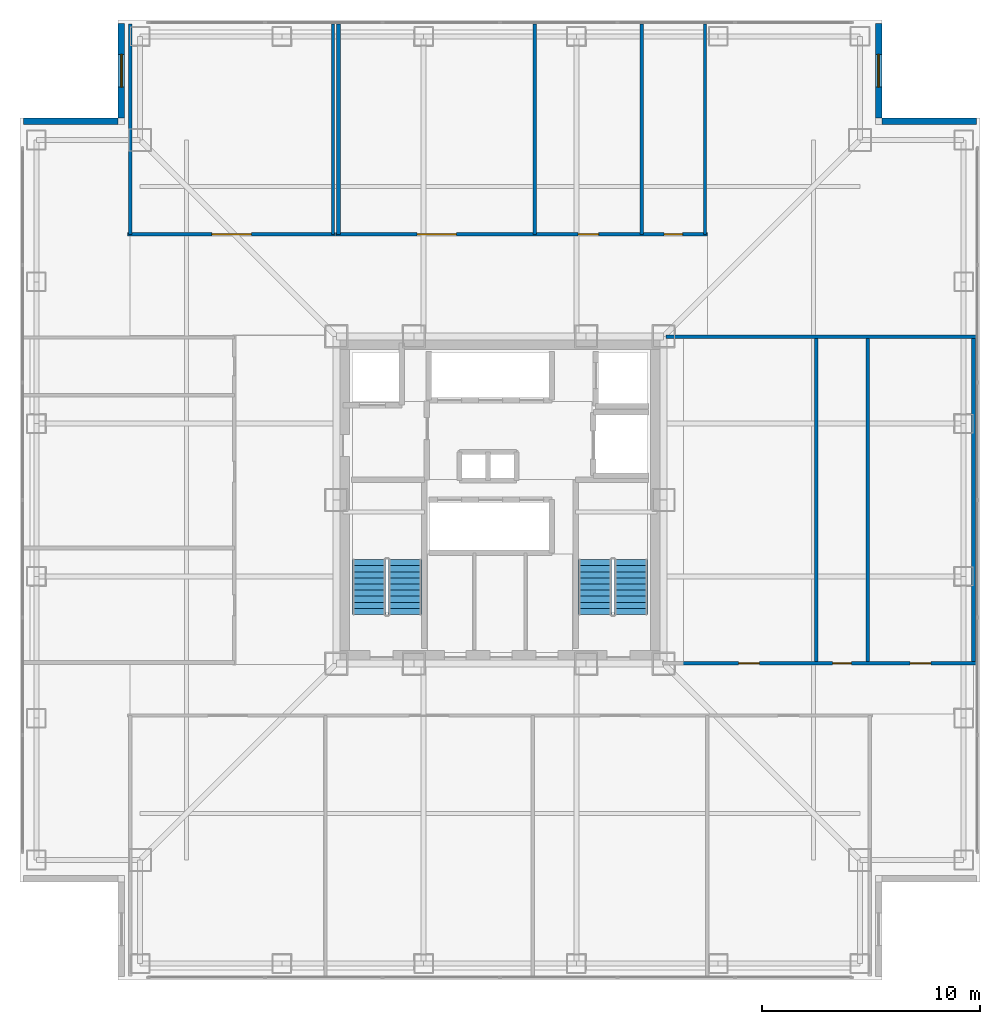
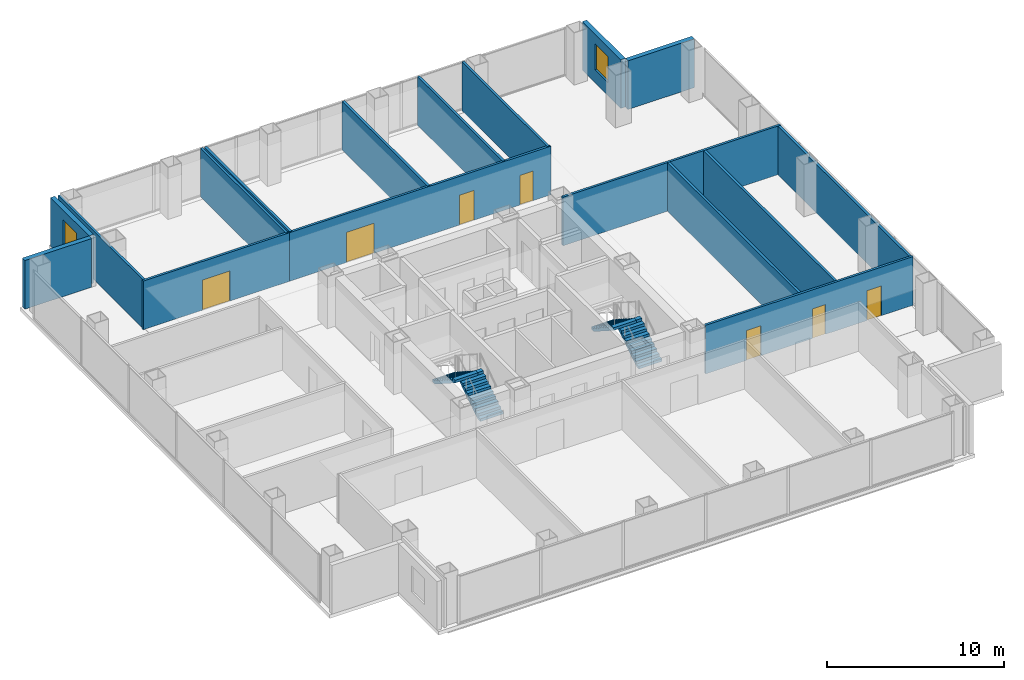
# One storey, part 14 of 17: 17 walls, 7 doors, 4 stair flights, 2 windows, 9 openings, 2 elements without a shape of their own.
"""IFC4 building model written with IfcOpenShell, lengths in metres."""

import ifcopenshell
import ifcopenshell.guid

model = None  # the IFC model being written
_history = None  # IfcOwnerHistory: only IFC2X3 demands one
_inside = {}  # id of a spatial element -> (the spatial element, [elements in it])
_under = {}  # id of a project, library or spatial element -> (it, [spatial elements below it])
_declared = {}  # id of a project -> (the project, [libraries it declares])
_typed = {}  # id of a type object -> (the type object, [elements of that type])
_made_of = {}  # id of a material, layer set ... -> (it, [elements and type objects made of it])


def new_model(schema):
    """Start an empty IFC model of exactly this schema.

    Asked for "IFC4X3", IfcOpenShell would pick the latest addendum, in which some entities
    have other attributes; the version numbers below select the first issue.
    IFC2X3 requires an IfcOwnerHistory on every rooted entity: one is made here for all.
    """
    global model, _history
    if schema == "IFC4X3":
        model = ifcopenshell.file(schema_version=(4, 3, 0, 0))
    else:
        model = ifcopenshell.file(schema=schema)
    _inside.clear()
    _under.clear()
    _declared.clear()
    _typed.clear()
    _made_of.clear()
    _history = None
    if model.schema == "IFC2X3":
        org = make("IfcOrganization", Name="unknown")
        user = make(
            "IfcPersonAndOrganization",
            ThePerson=make("IfcPerson", FamilyName="unknown"),
            TheOrganization=org,
        )
        app = make(
            "IfcApplication",
            ApplicationDeveloper=org,
            Version="unknown",
            ApplicationFullName="unknown",
            ApplicationIdentifier="unknown",
        )
        _history = make(
            "IfcOwnerHistory",
            OwningUser=user,
            OwningApplication=app,
            ChangeAction="ADDED",
            CreationDate=0,
        )
    return model


def make(cls, **values):
    """One entity of the class cls with the attributes given. An attribute that is None is left unset."""
    return model.create_entity(
        cls, **{name: value for name, value in values.items() if value is not None}
    )


def rooted(cls, **values):
    """An entity with a GlobalId (a new one), such as an element, a storey or a relation."""
    return make(cls, GlobalId=ifcopenshell.guid.new(), OwnerHistory=_history, **values)


def si_unit(unit_type, name, prefix=None):
    """IfcSIUnit, for example si_unit("LENGTHUNIT", "METRE", prefix="MILLI")."""
    return make("IfcSIUnit", UnitType=unit_type, Prefix=prefix, Name=name)


def assignment(units):
    """IfcUnitAssignment: the units of a project."""
    return None if units is None else make("IfcUnitAssignment", Units=units)


def point(xyz):
    """IfcCartesianPoint."""
    return None if xyz is None else make("IfcCartesianPoint", Coordinates=xyz)


def direction(xyz):
    """IfcDirection."""
    return None if xyz is None else make("IfcDirection", DirectionRatios=xyz)


def frame(location, z_axis=None, x_axis=None):
    """IfcAxis2Placement3D, a coordinate frame: its origin and axes. An axis left out is left unset."""
    return make(
        "IfcAxis2Placement3D",
        Location=point(location),
        Axis=direction(z_axis),
        RefDirection=direction(x_axis),
    )


def frame_2d(location, x_axis=None):
    """IfcAxis2Placement2D, a coordinate frame in the plane: its origin and x axis."""
    return make(
        "IfcAxis2Placement2D", Location=point(location), RefDirection=direction(x_axis)
    )


def origin():
    """The frame at (0, 0, 0) with its axes left unset."""
    return frame((0.0, 0.0, 0.0))


def place(relative_to, where):
    """IfcLocalPlacement: puts the frame where relative to a parent placement (None: the world)."""
    return make(
        "IfcLocalPlacement", PlacementRelTo=relative_to, RelativePlacement=where
    )


def context(
    kind, dimensions, precision=None, world=None, true_north=None, identifier=None
):
    """IfcGeometricRepresentationContext, for example the 3D "Model" context."""
    return make(
        "IfcGeometricRepresentationContext",
        ContextIdentifier=identifier,
        ContextType=kind,
        CoordinateSpaceDimension=dimensions,
        Precision=precision,
        WorldCoordinateSystem=world,
        TrueNorth=true_north,
    )


def subcontext(parent, identifier, kind, view, scale=None):
    """IfcGeometricRepresentationSubContext, for example "Body" below "Model"."""
    return make(
        "IfcGeometricRepresentationSubContext",
        ContextIdentifier=identifier,
        ContextType=kind,
        ParentContext=parent,
        TargetScale=scale,
        TargetView=view,
    )


def project(units=None, contexts=None):
    """IfcProject with its units and contexts."""
    return rooted(
        "IfcProject",
        Name="project",
        RepresentationContexts=contexts,
        UnitsInContext=assignment(units),
    )


def spatial(cls, under=None, at=None, **own):
    """A site, building, storey or space (cls), placed at a placement, below another one or the project."""
    s = rooted(cls, ObjectPlacement=at, **own)
    if under is not None:
        _under.setdefault(under.id(), (under, []))[1].append(s)
    return s


def polyline(points):
    """IfcPolyline through the points."""
    return make("IfcPolyline", Points=[point(p) for p in points])


def profile(cls, at=None, kind="AREA", **sizes):
    """A parametric profile (cls). Its sizes go by their IFC names, for example OverallWidth=200.0."""
    return make(cls, ProfileType=kind, Position=at, **sizes)


def rectangle(**sizes):
    """IfcRectangleProfileDef."""
    return profile("IfcRectangleProfileDef", **sizes)


def outline(outer, holes=None, kind="AREA"):
    """IfcArbitraryClosedProfileDef: a profile drawn as a closed curve; with holes, ...WithVoids."""
    if holes is None:
        return make("IfcArbitraryClosedProfileDef", ProfileType=kind, OuterCurve=outer)
    return make(
        "IfcArbitraryProfileDefWithVoids",
        ProfileType=kind,
        OuterCurve=outer,
        InnerCurves=holes,
    )


def extrude(swept, where, along, depth):
    """IfcExtrudedAreaSolid: the profile swept, set in the frame where, extruded along a direction by depth."""
    return make(
        "IfcExtrudedAreaSolid",
        SweptArea=swept,
        Position=where,
        ExtrudedDirection=direction(along),
        Depth=depth,
    )


def shape(context_of_items, identifier, shape_type, items):
    """IfcShapeRepresentation: the items that make up one representation, for example the "Body"."""
    return make(
        "IfcShapeRepresentation",
        ContextOfItems=context_of_items,
        RepresentationIdentifier=identifier,
        RepresentationType=shape_type,
        Items=items,
    )


def material(Name=None, Category=None):
    """IfcMaterial."""
    return make("IfcMaterial", Name=Name, Category=Category)


def layer(
    of_material, thickness, ventilated=None, Name=None, Category=None, Priority=None
):
    """IfcMaterialLayer: one layer of a wall or slab, of a material (None: an air gap)."""
    return make(
        "IfcMaterialLayer",
        Material=of_material,
        LayerThickness=thickness,
        IsVentilated=ventilated,
        Name=Name,
        Category=Category,
        Priority=Priority,
    )


def layer_set(layers, Name=None):
    """IfcMaterialLayerSet."""
    return make("IfcMaterialLayerSet", MaterialLayers=layers, LayerSetName=Name)


def made_of(thing, what):
    """Note that an element or type object is made of a material, layer set ...; save() writes the relation."""
    if what is not None:
        _made_of.setdefault(what.id(), (what, []))[1].append(thing)
    return thing


def type_object(cls, material=None, **own):
    """A type object (cls), such as IfcWallType, which elements share."""
    return made_of(rooted(cls, **own), material)


def element(
    cls,
    number,
    at=None,
    inside=None,
    cuts=None,
    type_object=None,
    material=None,
    context=None,
    identifier="Body",
    shape_type=None,
    held_by="IfcProductDefinitionShape",
    body=None,
    shapes=None,
    **own,
):
    """One element of the class cls, such as IfcWall. Its Tag is "e" and its number.

    at: its placement. inside: the storey or other place that contains it. cuts: it is an
    opening in that element (IfcRelVoidsElement). A single representation is given by context,
    identifier, shape_type and body (its items); several are given by shapes. held_by: the class
    of the entity that holds the representations. save() writes the other relations.
    """
    e = rooted(cls, Tag="e%d" % number, ObjectPlacement=at, **own)
    if body is not None:
        shapes = [shape(context, identifier, shape_type, body)]
    if shapes is not None:
        e.Representation = make(held_by, Representations=shapes)
    if inside is not None:
        _inside.setdefault(inside.id(), (inside, []))[1].append(e)
    if cuts is not None:
        rooted(
            "IfcRelVoidsElement", RelatingBuildingElement=cuts, RelatedOpeningElement=e
        )
    if type_object is not None:
        _typed.setdefault(type_object.id(), (type_object, []))[1].append(e)
    return made_of(e, material)


def fill(opening, filler):
    """IfcRelFillsElement: the door or window that sits in an opening."""
    return rooted(
        "IfcRelFillsElement",
        RelatingOpeningElement=opening,
        RelatedBuildingElement=filler,
    )


def aggregate(whole, parts):
    """IfcRelAggregates: a whole, such as a stair, and the parts it consists of."""
    return rooted("IfcRelAggregates", RelatingObject=whole, RelatedObjects=parts)


def save(model, path):
    """Write the relations noted so far, then the file.

    IfcRelAggregates (storeys below a building ...), IfcRelContainedInSpatialStructure (elements
    in a storey), IfcRelDefinesByType, IfcRelAssociatesMaterial and IfcRelDeclares: one each for
    every whole, place, type object, material and project.
    """
    for whole, parts in _under.values():
        aggregate(whole, parts)
    for where, things in _inside.values():
        rooted(
            "IfcRelContainedInSpatialStructure",
            RelatedElements=things,
            RelatingStructure=where,
        )
    for kind, things in _typed.values():
        rooted("IfcRelDefinesByType", RelatedObjects=things, RelatingType=kind)
    for what, things in _made_of.values():
        rooted("IfcRelAssociatesMaterial", RelatedObjects=things, RelatingMaterial=what)
    for by, libraries in _declared.values():
        rooted("IfcRelDeclares", RelatingContext=by, RelatedDefinitions=libraries)
    model.write(path)


model = new_model("IFC4")

# Units and contexts
model_context = context("Model", 3, precision=1e-05, world=origin(), true_north=direction((0.0, 1.0)))
body_context = subcontext(model_context, "Body", "Model", "MODEL_VIEW")
ifc_project = project(units=[si_unit("LENGTHUNIT", "METRE"), si_unit("AREAUNIT", "SQUARE_METRE"), si_unit("VOLUMEUNIT", "CUBIC_METRE"), si_unit("PLANEANGLEUNIT", "RADIAN"), si_unit("MASSUNIT", "GRAM", prefix="KILO")], contexts=[model_context])

# Site, building, storey
site_placement = place(None, origin())
site = spatial("IfcSite", under=ifc_project, at=site_placement, CompositionType="ELEMENT")
building_placement = place(site_placement, origin())
building = spatial("IfcBuilding", under=site, at=building_placement, Name="Trevonay Congress Spire", CompositionType="ELEMENT")
storey_placement = place(building_placement, frame((0.0, 0.0, 130.0)))
storey = spatial("IfcBuildingStorey", under=building, at=storey_placement, Name="L33", CompositionType="ELEMENT", Elevation=130.0)

# Wall, opening, door
ifc_material_1 = material(Name="Concrete C40/50", Category="concrete")
ifc_layer_1 = layer(ifc_material_1, 0.14990234375, Name="Concrete C40/50")
ifc_layer_set_1 = layer_set([ifc_layer_1], Name="Concrete C40/50")
wall_type_1 = type_object("IfcWallType", Name="WAL-CORR-150", PredefinedType="PARTITIONING", material=ifc_layer_set_1)
wall_1_placement = place(storey_placement, frame((-17.070068359375, 12.179931640625, 0.0), z_axis=(0.0, 0.0, 1.0), x_axis=(1.0, 0.0, 0.0)))
wall_1 = element("IfcWall", 1, at=wall_1_placement, inside=storey, type_object=wall_type_1, Name="L33 interior wall WP-L33NW-COR", PredefinedType="PARTITIONING", context=body_context, shape_type="SweptSolid", body=[
    extrude(rectangle(XDim=9.5400390625, YDim=0.14990234375, at=frame_2d((4.77001953125, 0.0))), origin(), (0.0, 0.0, 1.0), 3.360107421875),
])
opening_1_placement = place(wall_1_placement, frame((3.8701171875, 0.0, 0.0)))
opening_1 = element("IfcOpeningElement", 2, at=opening_1_placement, cuts=wall_1, Name="Opening D09", PredefinedType="OPENING", context=body_context, shape_type="SweptSolid", body=[
    extrude(rectangle(XDim=1.800048828125, YDim=2.080078125, at=frame_2d((0.89990234375, 1.0400390625))), frame((0.0, 0.0849609375, 0.0), z_axis=(0.0, -1.0, 0.0), x_axis=(1.0, 0.0, 0.0)), (0.0, 0.0, 1.0), 0.169921875),
])
ifc_material_2 = material(Name="Pale Anodised Aluminium EN AW-6063-T6", Category="aluminium")
door_type_1 = type_object("IfcDoorType", Name="DOR-CONF-DBL", OperationType="DOUBLE_DOOR_SINGLE_SWING", PredefinedType="DOOR", material=ifc_material_2)
door_1_placement = place(opening_1_placement, origin())
door_1 = element("IfcDoor", 3, at=door_1_placement, inside=storey, type_object=door_type_1, Name="L33 Digital Media Study Lounge Door", OperationType="DOUBLE_DOOR_SINGLE_SWING", OverallHeight=2.080078125, OverallWidth=1.800048828125, PredefinedType="DOOR", context=body_context, shape_type="SweptSolid", body=[
    extrude(rectangle(XDim=1.800048828125, YDim=2.080078125, at=frame_2d((0.89990234375, 1.0400390625))), frame((0.0, 0.02490234375, 0.0), z_axis=(0.0, -1.0, 0.0), x_axis=(1.0, 0.0, 0.0)), (0.0, 0.0, 1.0), 0.050048828125),
])
fill(opening_1, door_1)

# Wall, openings, doors
wall_2_placement = place(storey_placement, frame((-7.52001953125, 12.179931640625, 0.0), z_axis=(0.0, 0.0, 1.0), x_axis=(1.0, 0.0, 0.0)))
wall_2 = element("IfcWall", 4, at=wall_2_placement, inside=storey, type_object=wall_type_1, Name="L33 interior wall WP-L33NE-COR", PredefinedType="PARTITIONING", context=body_context, shape_type="SweptSolid", body=[
    extrude(rectangle(XDim=17.0400390625, YDim=0.14990234375, at=frame_2d((8.52001953125, 0.0))), origin(), (0.0, 0.0, 1.0), 3.360107421875),
])
opening_2_placement = place(wall_2_placement, frame((3.719970703125, 0.0, 0.0)))
opening_2 = element("IfcOpeningElement", 5, at=opening_2_placement, cuts=wall_2, Name="Opening D09", PredefinedType="OPENING", context=body_context, shape_type="SweptSolid", body=[
    extrude(rectangle(XDim=1.800048828125, YDim=2.080078125, at=frame_2d((0.89990234375, 1.0400390625))), frame((0.0, 0.0849609375, 0.0), z_axis=(0.0, -1.0, 0.0), x_axis=(1.0, 0.0, 0.0)), (0.0, 0.0, 1.0), 0.169921875),
])
opening_3_placement = place(wall_2_placement, frame((11.094970703125, 0.0, 0.0)))
opening_3 = element("IfcOpeningElement", 6, at=opening_3_placement, cuts=wall_2, Name="Opening D07", PredefinedType="OPENING", context=body_context, shape_type="SweptSolid", body=[
    extrude(rectangle(XDim=0.949951171875, YDim=2.06005859375, at=frame_2d((0.47509765625, 1.030029296875))), frame((0.0, 0.0849609375, 0.0), z_axis=(0.0, -1.0, 0.0), x_axis=(1.0, 0.0, 0.0)), (0.0, 0.0, 1.0), 0.169921875),
])
opening_4_placement = place(wall_2_placement, frame((15.044921875, 0.0, 0.0)))
opening_4 = element("IfcOpeningElement", 7, at=opening_4_placement, cuts=wall_2, Name="Opening D10", PredefinedType="OPENING", context=body_context, shape_type="SweptSolid", body=[
    extrude(rectangle(XDim=0.85009765625, YDim=2.050048828125, at=frame_2d((0.425048828125, 1.02490234375))), frame((0.0, 0.0849609375, 0.0), z_axis=(0.0, -1.0, 0.0), x_axis=(1.0, 0.0, 0.0)), (0.0, 0.0, 1.0), 0.169921875),
])
door_2_placement = place(opening_2_placement, origin())
door_2 = element("IfcDoor", 8, at=door_2_placement, inside=storey, type_object=door_type_1, Name="L33 Archive Reading Salon Door", OperationType="DOUBLE_DOOR_SINGLE_SWING", OverallHeight=2.080078125, OverallWidth=1.800048828125, PredefinedType="DOOR", context=body_context, shape_type="SweptSolid", body=[
    extrude(rectangle(XDim=1.800048828125, YDim=2.080078125, at=frame_2d((0.89990234375, 1.0400390625))), frame((0.0, 0.02490234375, 0.0), z_axis=(0.0, -1.0, 0.0), x_axis=(1.0, 0.0, 0.0)), (0.0, 0.0, 1.0), 0.050048828125),
])
fill(opening_2, door_2)
door_type_2 = type_object("IfcDoorType", Name="DOR-OFFICE-95", OperationType="NOTDEFINED", PredefinedType="DOOR", material=ifc_material_2)
door_3_placement = place(opening_3_placement, origin())
door_3 = element("IfcDoor", 9, at=door_3_placement, inside=storey, type_object=door_type_2, Name="L33 Academic Pantry Door", OperationType="SINGLE_SWING_RIGHT", OverallHeight=2.06005859375, OverallWidth=0.949951171875, PredefinedType="DOOR", context=body_context, shape_type="SweptSolid", body=[
    extrude(rectangle(XDim=0.949951171875, YDim=2.06005859375, at=frame_2d((0.47509765625, 1.030029296875))), frame((0.0, 0.02490234375, 0.0), z_axis=(0.0, -1.0, 0.0), x_axis=(1.0, 0.0, 0.0)), (0.0, 0.0, 1.0), 0.050048828125),
])
fill(opening_3, door_3)
door_type_3 = type_object("IfcDoorType", Name="DOR-WC-85", OperationType="NOTDEFINED", PredefinedType="DOOR", material=ifc_material_2)
door_4_placement = place(opening_4_placement, origin())
door_4 = element("IfcDoor", 10, at=door_4_placement, inside=storey, type_object=door_type_3, Name="L33 Female Restroom WC Door", OperationType="SINGLE_SWING_LEFT", OverallHeight=2.050048828125, OverallWidth=0.85009765625, PredefinedType="DOOR", context=body_context, shape_type="SweptSolid", body=[
    extrude(rectangle(XDim=0.85009765625, YDim=2.050048828125, at=frame_2d((0.425048828125, 1.02490234375))), frame((0.0, 0.02490234375, 0.0), z_axis=(0.0, -1.0, 0.0), x_axis=(1.0, 0.0, 0.0)), (0.0, 0.0, 1.0), 0.050048828125),
])
fill(opening_4, door_4)

wall_3_placement = place(storey_placement, frame((8.280029296875, -7.47998046875, 0.0), z_axis=(0.0, 0.0, 1.0), x_axis=(1.0, 0.0, 0.0)))
wall_3 = element("IfcWall", 11, at=wall_3_placement, inside=storey, type_object=wall_type_1, Name="L33 interior wall WP-L33E-COR", PredefinedType="PARTITIONING", context=body_context, shape_type="SweptSolid", body=[
    extrude(rectangle(XDim=13.5400390625, YDim=0.14990234375, at=frame_2d((6.77001953125, 0.0))), origin(), (0.0, 0.0, 1.0), 3.360107421875),
])
opening_5_placement = place(wall_3_placement, frame((2.655029296875, 0.0, 0.0)))
opening_5 = element("IfcOpeningElement", 12, at=opening_5_placement, cuts=wall_3, Name="Opening D07", PredefinedType="OPENING", context=body_context, shape_type="SweptSolid", body=[
    extrude(rectangle(XDim=0.949951171875, YDim=2.06005859375, at=frame_2d((0.47509765625, 1.030029296875))), frame((0.0, 0.0849609375, 0.0), z_axis=(0.0, -1.0, 0.0), x_axis=(1.0, 0.0, 0.0)), (0.0, 0.0, 1.0), 0.169921875),
])
opening_6_placement = place(wall_3_placement, frame((6.969970703125, 0.0, 0.0)))
opening_6 = element("IfcOpeningElement", 13, at=opening_6_placement, cuts=wall_3, Name="Opening D10", PredefinedType="OPENING", context=body_context, shape_type="SweptSolid", body=[
    extrude(rectangle(XDim=0.85009765625, YDim=2.050048828125, at=frame_2d((0.425048828125, 1.02490234375))), frame((0.0, 0.0849609375, 0.0), z_axis=(0.0, -1.0, 0.0), x_axis=(1.0, 0.0, 0.0)), (0.0, 0.0, 1.0), 0.169921875),
])
opening_7_placement = place(wall_3_placement, frame((10.52001953125, 0.0, 0.0)))
opening_7 = element("IfcOpeningElement", 14, at=opening_7_placement, cuts=wall_3, Name="Opening D07", PredefinedType="OPENING", context=body_context, shape_type="SweptSolid", body=[
    extrude(rectangle(XDim=0.949951171875, YDim=2.06005859375, at=frame_2d((0.47509765625, 1.030029296875))), frame((0.0, 0.0849609375, 0.0), z_axis=(0.0, -1.0, 0.0), x_axis=(1.0, 0.0, 0.0)), (0.0, 0.0, 1.0), 0.169921875),
])
door_5_placement = place(opening_5_placement, origin())
door_5 = element("IfcDoor", 15, at=door_5_placement, inside=storey, type_object=door_type_2, Name="L33 Curriculum Office East Door", OperationType="SINGLE_SWING_RIGHT", OverallHeight=2.06005859375, OverallWidth=0.949951171875, PredefinedType="DOOR", context=body_context, shape_type="SweptSolid", body=[
    extrude(rectangle(XDim=0.949951171875, YDim=2.06005859375, at=frame_2d((0.47509765625, 1.030029296875))), frame((0.0, 0.02490234375, 0.0), z_axis=(0.0, -1.0, 0.0), x_axis=(1.0, 0.0, 0.0)), (0.0, 0.0, 1.0), 0.050048828125),
])
fill(opening_5, door_5)
door_6_placement = place(opening_7_placement, origin())
door_6 = element("IfcDoor", 16, at=door_6_placement, inside=storey, type_object=door_type_2, Name="L33 Floor Supplies and Copy Room Door", OperationType="SINGLE_SWING_RIGHT", OverallHeight=2.06005859375, OverallWidth=0.949951171875, PredefinedType="DOOR", context=body_context, shape_type="SweptSolid", body=[
    extrude(rectangle(XDim=0.949951171875, YDim=2.06005859375, at=frame_2d((0.47509765625, 1.030029296875))), frame((0.0, 0.02490234375, 0.0), z_axis=(0.0, -1.0, 0.0), x_axis=(1.0, 0.0, 0.0)), (0.0, 0.0, 1.0), 0.050048828125),
])
fill(opening_7, door_6)
door_7_placement = place(opening_6_placement, origin())
door_7 = element("IfcDoor", 17, at=door_7_placement, inside=storey, type_object=door_type_3, Name="L33 Male Restroom WC Door", OperationType="SINGLE_SWING_LEFT", OverallHeight=2.050048828125, OverallWidth=0.85009765625, PredefinedType="DOOR", context=body_context, shape_type="SweptSolid", body=[
    extrude(rectangle(XDim=0.85009765625, YDim=2.050048828125, at=frame_2d((0.425048828125, 1.02490234375))), frame((0.0, 0.02490234375, 0.0), z_axis=(0.0, -1.0, 0.0), x_axis=(1.0, 0.0, 0.0)), (0.0, 0.0, 1.0), 0.050048828125),
])
fill(opening_6, door_7)

# Wall, opening, window
ifc_material_3 = material(Name="Precast concrete C40/50", Category="concrete")
ifc_layer_2 = layer(ifc_material_3, 0.300048828125, Name="Precast concrete C40/50")
ifc_layer_set_2 = layer_set([ifc_layer_2], Name="Precast concrete C40/50")
wall_type_2 = type_object("IfcWallType", Name="WAL-EXT-PRECAST-300", PredefinedType="SOLIDWALL", material=ifc_layer_set_2)
wall_4_placement = place(storey_placement, frame((17.35009765625, 21.85009765625, 0.0), z_axis=(0.0, 0.0, 1.0), x_axis=(0.0, -1.0, 0.0)))
wall_4 = element("IfcWall", 18, at=wall_4_placement, inside=storey, type_object=wall_type_2, Name="L33 NE re-entrant notch exterior wall 1", PredefinedType="SOLIDWALL", context=body_context, shape_type="SweptSolid", body=[
    extrude(rectangle(XDim=4.35009765625, YDim=0.300048828125, at=frame_2d((2.175048828125, 0.0))), origin(), (0.0, 0.0, 1.0), 3.360107421875),
])
opening_8_placement = place(wall_4_placement, frame((1.425048828125, 0.0, 0.89990234375)))
opening_8 = element("IfcOpeningElement", 19, at=opening_8_placement, cuts=wall_4, Name="Opening WN03", PredefinedType="OPENING", context=body_context, shape_type="SweptSolid", body=[
    extrude(rectangle(XDim=1.5, YDim=1.800048828125, at=frame_2d((0.75, 0.89990234375))), frame((0.0, 0.16015625, 0.0), z_axis=(0.0, -1.0, 0.0), x_axis=(1.0, 0.0, 0.0)), (0.0, 0.0, 1.0), 0.320068359375),
])
ifc_material_4 = material(Name="Insulated Low-E Vision Glass IGU", Category="glass")
window_type = type_object("IfcWindowType", Name="WIN-NOTCH-150X180", PartitioningType="SINGLE_PANEL", PredefinedType="WINDOW", material=ifc_material_4)
window_1_placement = place(opening_8_placement, origin())
window_1 = element("IfcWindow", 20, at=window_1_placement, inside=storey, type_object=window_type, Name="L33 NE corner notch window", OverallHeight=1.800048828125, OverallWidth=1.5, PartitioningType="SINGLE_PANEL", PredefinedType="WINDOW", context=body_context, shape_type="SweptSolid", body=[
    extrude(rectangle(XDim=1.5, YDim=1.800048828125, at=frame_2d((0.75, 0.89990234375))), frame((0.0, 0.030029296875, 0.0), z_axis=(0.0, -1.0, 0.0), x_axis=(1.0, 0.0, 0.0)), (0.0, 0.0, 1.0), 0.06005859375),
])
fill(opening_8, window_1)

# Wall
wall_5_placement = place(storey_placement, frame((21.85009765625, 17.35009765625, 0.0), z_axis=(0.0, 0.0, 1.0), x_axis=(-1.0, 0.0, 0.0)))
element("IfcWall", 21, at=wall_5_placement, inside=storey, type_object=wall_type_2, Name="L33 NE re-entrant notch exterior wall 2", PredefinedType="SOLIDWALL", context=body_context, shape_type="SweptSolid", body=[
    extrude(rectangle(XDim=4.35009765625, YDim=0.300048828125, at=frame_2d((2.175048828125, 0.0))), origin(), (0.0, 0.0, 1.0), 3.360107421875),
])

# Wall, opening, window
wall_6_placement = place(storey_placement, frame((-17.35009765625, 21.85009765625, 0.0), z_axis=(0.0, 0.0, 1.0), x_axis=(0.0, -1.0, 0.0)))
wall_6 = element("IfcWall", 22, at=wall_6_placement, inside=storey, type_object=wall_type_2, Name="L33 NW re-entrant notch exterior wall 1", PredefinedType="SOLIDWALL", context=body_context, shape_type="SweptSolid", body=[
    extrude(rectangle(XDim=4.35009765625, YDim=0.300048828125, at=frame_2d((2.175048828125, 0.0))), origin(), (0.0, 0.0, 1.0), 3.360107421875),
])
opening_9_placement = place(wall_6_placement, frame((1.425048828125, 0.0, 0.89990234375)))
opening_9 = element("IfcOpeningElement", 23, at=opening_9_placement, cuts=wall_6, Name="Opening WN03", PredefinedType="OPENING", context=body_context, shape_type="SweptSolid", body=[
    extrude(rectangle(XDim=1.5, YDim=1.800048828125, at=frame_2d((0.75, 0.89990234375))), frame((0.0, 0.16015625, 0.0), z_axis=(0.0, -1.0, 0.0), x_axis=(1.0, 0.0, 0.0)), (0.0, 0.0, 1.0), 0.320068359375),
])
window_2_placement = place(opening_9_placement, origin())
window_2 = element("IfcWindow", 24, at=window_2_placement, inside=storey, type_object=window_type, Name="L33 NW corner notch window", OverallHeight=1.800048828125, OverallWidth=1.5, PartitioningType="SINGLE_PANEL", PredefinedType="WINDOW", context=body_context, shape_type="SweptSolid", body=[
    extrude(rectangle(XDim=1.5, YDim=1.800048828125, at=frame_2d((0.75, 0.89990234375))), frame((0.0, 0.030029296875, 0.0), z_axis=(0.0, -1.0, 0.0), x_axis=(1.0, 0.0, 0.0)), (0.0, 0.0, 1.0), 0.06005859375),
])
fill(opening_9, window_2)

# Walls
wall_7_placement = place(storey_placement, frame((-21.85009765625, 17.35009765625, 0.0), z_axis=(0.0, 0.0, 1.0), x_axis=(1.0, 0.0, 0.0)))
element("IfcWall", 25, at=wall_7_placement, inside=storey, type_object=wall_type_2, Name="L33 NW re-entrant notch exterior wall 2", PredefinedType="SOLIDWALL", context=body_context, shape_type="SweptSolid", body=[
    extrude(rectangle(XDim=4.35009765625, YDim=0.300048828125, at=frame_2d((2.175048828125, 0.0))), origin(), (0.0, 0.0, 1.0), 3.360107421875),
])
ifc_layer_3 = layer(ifc_material_1, 0.14990234375, Name="Concrete C40/50")
ifc_layer_set_3 = layer_set([ifc_layer_3], Name="Concrete C40/50")
wall_type_3 = type_object("IfcWallType", Name="WAL-PART-150", PredefinedType="PARTITIONING", material=ifc_layer_set_3)
for number, where, z_axis, x_axis, name in (
    (26, (-16.949951171875, 12.179931640625, 0.0), (0.0, 0.0, 1.0), (0.0, 1.0, 0.0), "L33 interior wall WP-L33NW-DIV1"),
    (27, (-7.64990234375, 12.179931640625, 0.0), (0.0, 0.0, 1.0), (0.0, 1.0, 0.0), "L33 interior wall WP-L33NW-DIV2"),
    (28, (6.5, 12.179931640625, 0.0), (0.0, 0.0, 1.0), (0.0, 1.0, 0.0), "L33 interior wall WP-L33NE-DIV3"),
    (29, (9.39990234375, 12.179931640625, 0.0), (0.0, 0.0, 1.0), (0.0, 1.0, 0.0), "L33 interior wall WP-L33NE-DIV4"),
):
    element("IfcWall", number, at=place(storey_placement, frame(where, z_axis=z_axis, x_axis=x_axis)), inside=storey, type_object=wall_type_3, Name=name, PredefinedType="PARTITIONING", context=body_context, shape_type="SweptSolid", body=[
        extrude(rectangle(XDim=9.64013671875, YDim=0.14990234375, at=frame_2d((4.820068359375, 0.0))), origin(), (0.0, 0.0, 1.0), 3.360107421875),
    ])
wall_8_placement = place(storey_placement, frame((7.60009765625, 7.47998046875, 0.0), z_axis=(0.0, 0.0, 1.0), x_axis=(1.0, 0.0, 0.0)))
element("IfcWall", 30, at=wall_8_placement, inside=storey, type_object=wall_type_3, Name="L33 interior wall WP-L33E-NCLS", PredefinedType="PARTITIONING", context=body_context, shape_type="SweptSolid", body=[
    extrude(rectangle(XDim=14.219970703125, YDim=0.14990234375, at=frame_2d((7.10986328125, 0.0))), origin(), (0.0, 0.0, 1.0), 3.360107421875),
])
ifc_layer_4 = layer(ifc_material_1, 0.1650390625, Name="Concrete C40/50")
ifc_layer_set_4 = layer_set([ifc_layer_4], Name="Concrete C40/50")
wall_type_4 = type_object("IfcWallType", Name="WAL-WET-165", PredefinedType="PLUMBINGWALL", material=ifc_layer_set_4)
for number, where, z_axis, x_axis, name in (
    (31, (-7.39990234375, 12.179931640625, 0.0), (0.0, 0.0, 1.0), (0.0, 1.0, 0.0), "L33 interior wall WP-L33NE-DIV1"),
    (32, (1.60009765625, 12.179931640625, 0.0), (0.0, 0.0, 1.0), (0.0, 1.0, 0.0), "L33 interior wall WP-L33NE-DIV2"),
):
    element("IfcWall", number, at=place(storey_placement, frame(where, z_axis=z_axis, x_axis=x_axis)), inside=storey, type_object=wall_type_4, Name=name, PredefinedType="PLUMBINGWALL", context=body_context, shape_type="SweptSolid", body=[
        extrude(rectangle(XDim=9.64013671875, YDim=0.1650390625, at=frame_2d((4.820068359375, 0.0))), origin(), (0.0, 0.0, 1.0), 3.360107421875),
    ])
for number, where, z_axis, x_axis, name in (
    (33, (16.85009765625, -7.47998046875, 0.0), (0.0, 0.0, 1.0), (0.0, 1.0, 0.0), "L33 interior wall WP-L33E-WCS2"),
    (34, (14.5, -7.47998046875, 0.0), (0.0, 0.0, 1.0), (0.0, 1.0, 0.0), "L33 interior wall WP-L33E-DIV1"),
    (35, (21.699951171875, -7.47998046875, 0.0), (0.0, 0.0, 1.0), (0.0, 1.0, 0.0), "L33 interior wall WP-L33E-DIV2"),
):
    element("IfcWall", number, at=place(storey_placement, frame(where, z_axis=z_axis, x_axis=x_axis)), inside=storey, type_object=wall_type_4, Name=name, PredefinedType="PLUMBINGWALL", context=body_context, shape_type="SweptSolid", body=[
        extrude(rectangle(XDim=14.8798828125, YDim=0.1650390625, at=frame_2d((7.43994140625, 0.0))), origin(), (0.0, 0.0, 1.0), 3.360107421875),
    ])

# Stair, stair flights
stair_type_1 = type_object("IfcStairType", Name="STR-ST-1", PredefinedType="HALF_TURN_STAIR", material=ifc_material_1)
stair_1_placement = place(storey_placement, origin())
stair_1 = element("IfcStair", 36, at=stair_1_placement, inside=storey, type_object=stair_type_1, Name="L33 Protected Exit Stair ST-1", PredefinedType="HALF_TURN_STAIR")
stair_flight_type_1 = type_object("IfcStairFlightType", Name="SFL-ST-1", PredefinedType="STRAIGHT", material=ifc_material_1)
stair_flight_1_placement = place(storey_placement, frame((-4.35009765625, -5.25, 0.0), z_axis=(0.0, 0.0, 1.0), x_axis=(0.0, 1.0, 0.0)))
stair_flight_1 = element("IfcStairFlight", 37, at=stair_flight_1_placement, type_object=stair_flight_type_1, Name="ST-1 flight 1", NumberOfRisers=10, NumberOfTreads=9, PredefinedType="STRAIGHT", RiserHeight=0.18, TreadLength=0.28, context=body_context, shape_type="SweptSolid", body=[
    extrude(outline(polyline([(0.0, 0.0), (0.0, 0.179931640625), (0.280029296875, 0.179931640625), (0.280029296875, 0.360107421875), (0.56005859375, 0.360107421875), (0.56005859375, 0.5400390625), (0.840087890625, 0.5400390625), (0.840087890625, 0.719970703125), (1.1201171875, 0.719970703125), (1.1201171875, 0.89990234375), (1.39990234375, 0.89990234375), (1.39990234375, 1.080078125), (1.679931640625, 1.080078125), (1.679931640625, 1.260009765625), (1.9599609375, 1.260009765625), (1.9599609375, 1.43994140625), (2.239990234375, 1.43994140625), (2.239990234375, 1.6201171875), (2.52001953125, 1.6201171875), (2.52001953125, 1.800048828125), (2.52001953125, 1.44189453125), (0.277099609375, 0.0), (0.0, 0.0)])), frame((0.0, 0.75, 0.0), z_axis=(0.0, -1.0, 0.0), x_axis=(1.0, 0.0, 0.0)), (0.0, 0.0, 1.0), 1.5),
])
stair_flight_2_placement = place(storey_placement, frame((-6.0, -2.72998046875, 1.800048828125), z_axis=(0.0, 0.0, 1.0), x_axis=(0.0, -1.0, 0.0)))
stair_flight_2 = element("IfcStairFlight", 38, at=stair_flight_2_placement, type_object=stair_flight_type_1, Name="ST-1 flight 2", NumberOfRisers=10, NumberOfTreads=9, PredefinedType="STRAIGHT", RiserHeight=0.18, TreadLength=0.28, context=body_context, shape_type="SweptSolid", body=[
    extrude(outline(polyline([(0.0, 0.0), (0.0, 0.179931640625), (0.280029296875, 0.179931640625), (0.280029296875, 0.360107421875), (0.56005859375, 0.360107421875), (0.56005859375, 0.5400390625), (0.840087890625, 0.5400390625), (0.840087890625, 0.719970703125), (1.1201171875, 0.719970703125), (1.1201171875, 0.89990234375), (1.39990234375, 0.89990234375), (1.39990234375, 1.080078125), (1.679931640625, 1.080078125), (1.679931640625, 1.260009765625), (1.9599609375, 1.260009765625), (1.9599609375, 1.43994140625), (2.239990234375, 1.43994140625), (2.239990234375, 1.6201171875), (2.52001953125, 1.6201171875), (2.52001953125, 1.800048828125), (2.52001953125, 1.44189453125), (0.277099609375, 0.0), (0.0, 0.0)])), frame((0.0, 0.75, 0.0), z_axis=(0.0, -1.0, 0.0), x_axis=(1.0, 0.0, 0.0)), (0.0, 0.0, 1.0), 1.5),
])
aggregate(stair_1, [stair_flight_1, stair_flight_2])

stair_type_2 = type_object("IfcStairType", Name="STR-ST-2", PredefinedType="HALF_TURN_STAIR", material=ifc_material_1)
stair_2_placement = place(storey_placement, origin())
stair_2 = element("IfcStair", 39, at=stair_2_placement, inside=storey, type_object=stair_type_2, Name="L33 Protected Exit Stair ST-2", PredefinedType="HALF_TURN_STAIR")
stair_flight_type_2 = type_object("IfcStairFlightType", Name="SFL-ST-2", PredefinedType="STRAIGHT", material=ifc_material_1)
stair_flight_3_placement = place(storey_placement, frame((6.0, -5.25, 0.0), z_axis=(0.0, 0.0, 1.0), x_axis=(0.0, 1.0, 0.0)))
stair_flight_3 = element("IfcStairFlight", 40, at=stair_flight_3_placement, type_object=stair_flight_type_2, Name="ST-2 flight 1", NumberOfRisers=10, NumberOfTreads=9, PredefinedType="STRAIGHT", RiserHeight=0.18, TreadLength=0.28, context=body_context, shape_type="SweptSolid", body=[
    extrude(outline(polyline([(0.0, 0.0), (0.0, 0.179931640625), (0.280029296875, 0.179931640625), (0.280029296875, 0.360107421875), (0.56005859375, 0.360107421875), (0.56005859375, 0.5400390625), (0.840087890625, 0.5400390625), (0.840087890625, 0.719970703125), (1.1201171875, 0.719970703125), (1.1201171875, 0.89990234375), (1.39990234375, 0.89990234375), (1.39990234375, 1.080078125), (1.679931640625, 1.080078125), (1.679931640625, 1.260009765625), (1.9599609375, 1.260009765625), (1.9599609375, 1.43994140625), (2.239990234375, 1.43994140625), (2.239990234375, 1.6201171875), (2.52001953125, 1.6201171875), (2.52001953125, 1.800048828125), (2.52001953125, 1.44189453125), (0.277099609375, 0.0), (0.0, 0.0)])), frame((0.0, 0.75, 0.0), z_axis=(0.0, -1.0, 0.0), x_axis=(1.0, 0.0, 0.0)), (0.0, 0.0, 1.0), 1.5),
])
stair_flight_4_placement = place(storey_placement, frame((4.35009765625, -2.72998046875, 1.800048828125), z_axis=(0.0, 0.0, 1.0), x_axis=(0.0, -1.0, 0.0)))
stair_flight_4 = element("IfcStairFlight", 41, at=stair_flight_4_placement, type_object=stair_flight_type_2, Name="ST-2 flight 2", NumberOfRisers=10, NumberOfTreads=9, PredefinedType="STRAIGHT", RiserHeight=0.18, TreadLength=0.28, context=body_context, shape_type="SweptSolid", body=[
    extrude(outline(polyline([(0.0, 0.0), (0.0, 0.179931640625), (0.280029296875, 0.179931640625), (0.280029296875, 0.360107421875), (0.56005859375, 0.360107421875), (0.56005859375, 0.5400390625), (0.840087890625, 0.5400390625), (0.840087890625, 0.719970703125), (1.1201171875, 0.719970703125), (1.1201171875, 0.89990234375), (1.39990234375, 0.89990234375), (1.39990234375, 1.080078125), (1.679931640625, 1.080078125), (1.679931640625, 1.260009765625), (1.9599609375, 1.260009765625), (1.9599609375, 1.43994140625), (2.239990234375, 1.43994140625), (2.239990234375, 1.6201171875), (2.52001953125, 1.6201171875), (2.52001953125, 1.800048828125), (2.52001953125, 1.44189453125), (0.277099609375, 0.0), (0.0, 0.0)])), frame((0.0, 0.75, 0.0), z_axis=(0.0, -1.0, 0.0), x_axis=(1.0, 0.0, 0.0)), (0.0, 0.0, 1.0), 1.5),
])
aggregate(stair_2, [stair_flight_3, stair_flight_4])

save(model, "model.ifc")
